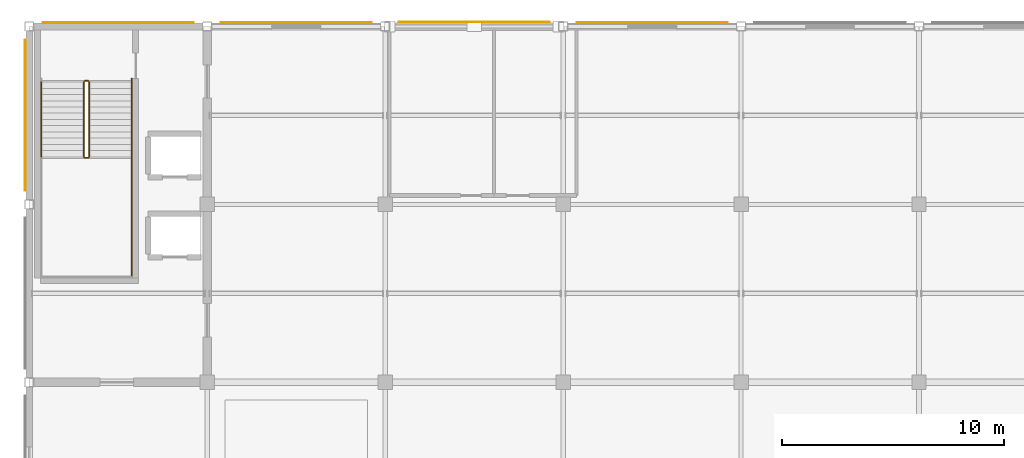
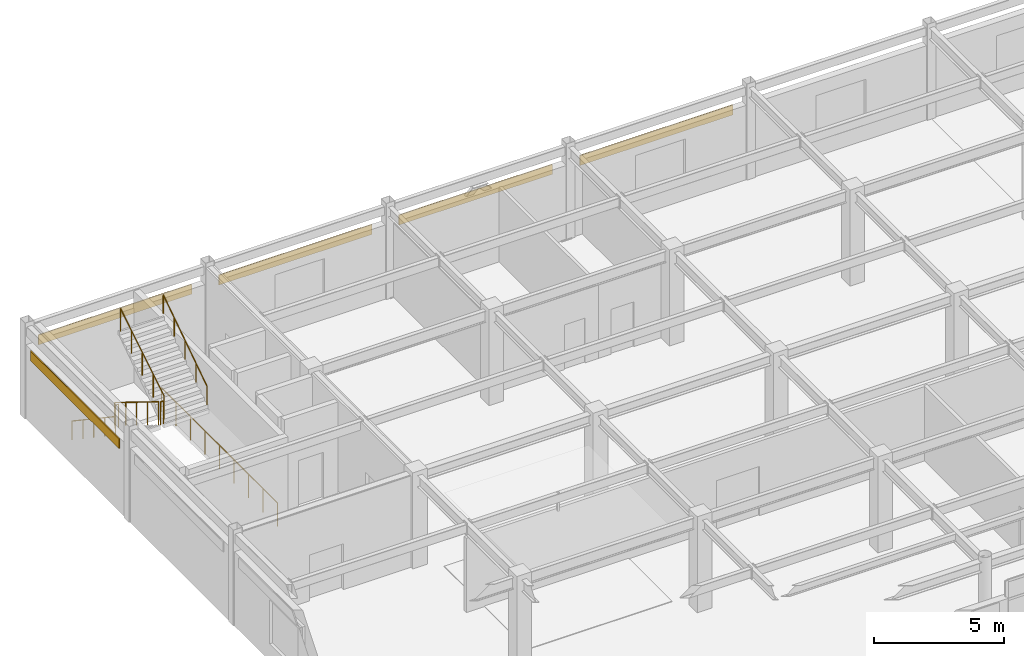
# One storey, part 87 of 93: 7 railings, 5 coverings.
"""IFC4 building model written with IfcOpenShell, lengths in metres."""

import ifcopenshell
import ifcopenshell.guid

model = None  # the IFC model being written
_history = None  # IfcOwnerHistory: only IFC2X3 demands one
_inside = {}  # id of a spatial element -> (the spatial element, [elements in it])
_under = {}  # id of a project, library or spatial element -> (it, [spatial elements below it])
_declared = {}  # id of a project -> (the project, [libraries it declares])
_typed = {}  # id of a type object -> (the type object, [elements of that type])
_made_of = {}  # id of a material, layer set ... -> (it, [elements and type objects made of it])


def new_model(schema):
    """Start an empty IFC model of exactly this schema.

    Asked for "IFC4X3", IfcOpenShell would pick the latest addendum, in which some entities
    have other attributes; the version numbers below select the first issue.
    IFC2X3 requires an IfcOwnerHistory on every rooted entity: one is made here for all.
    """
    global model, _history
    if schema == "IFC4X3":
        model = ifcopenshell.file(schema_version=(4, 3, 0, 0))
    else:
        model = ifcopenshell.file(schema=schema)
    _inside.clear()
    _under.clear()
    _declared.clear()
    _typed.clear()
    _made_of.clear()
    _history = None
    if model.schema == "IFC2X3":
        org = make("IfcOrganization", Name="unknown")
        user = make(
            "IfcPersonAndOrganization",
            ThePerson=make("IfcPerson", FamilyName="unknown"),
            TheOrganization=org,
        )
        app = make(
            "IfcApplication",
            ApplicationDeveloper=org,
            Version="unknown",
            ApplicationFullName="unknown",
            ApplicationIdentifier="unknown",
        )
        _history = make(
            "IfcOwnerHistory",
            OwningUser=user,
            OwningApplication=app,
            ChangeAction="ADDED",
            CreationDate=0,
        )
    return model


def make(cls, **values):
    """One entity of the class cls with the attributes given. An attribute that is None is left unset."""
    return model.create_entity(
        cls, **{name: value for name, value in values.items() if value is not None}
    )


def rooted(cls, **values):
    """An entity with a GlobalId (a new one), such as an element, a storey or a relation."""
    return make(cls, GlobalId=ifcopenshell.guid.new(), OwnerHistory=_history, **values)


def si_unit(unit_type, name, prefix=None):
    """IfcSIUnit, for example si_unit("LENGTHUNIT", "METRE", prefix="MILLI")."""
    return make("IfcSIUnit", UnitType=unit_type, Prefix=prefix, Name=name)


def assignment(units):
    """IfcUnitAssignment: the units of a project."""
    return None if units is None else make("IfcUnitAssignment", Units=units)


def point(xyz):
    """IfcCartesianPoint."""
    return None if xyz is None else make("IfcCartesianPoint", Coordinates=xyz)


def direction(xyz):
    """IfcDirection."""
    return None if xyz is None else make("IfcDirection", DirectionRatios=xyz)


def frame(location, z_axis=None, x_axis=None):
    """IfcAxis2Placement3D, a coordinate frame: its origin and axes. An axis left out is left unset."""
    return make(
        "IfcAxis2Placement3D",
        Location=point(location),
        Axis=direction(z_axis),
        RefDirection=direction(x_axis),
    )


def frame_2d(location, x_axis=None):
    """IfcAxis2Placement2D, a coordinate frame in the plane: its origin and x axis."""
    return make(
        "IfcAxis2Placement2D", Location=point(location), RefDirection=direction(x_axis)
    )


def origin():
    """The frame at (0, 0, 0) with its axes left unset."""
    return frame((0.0, 0.0, 0.0))


def origin_2d():
    """The frame at (0, 0) in the plane with its x axis left unset."""
    return frame_2d((0.0, 0.0))


def place(relative_to, where):
    """IfcLocalPlacement: puts the frame where relative to a parent placement (None: the world)."""
    return make(
        "IfcLocalPlacement", PlacementRelTo=relative_to, RelativePlacement=where
    )


def context(
    kind, dimensions, precision=None, world=None, true_north=None, identifier=None
):
    """IfcGeometricRepresentationContext, for example the 3D "Model" context."""
    return make(
        "IfcGeometricRepresentationContext",
        ContextIdentifier=identifier,
        ContextType=kind,
        CoordinateSpaceDimension=dimensions,
        Precision=precision,
        WorldCoordinateSystem=world,
        TrueNorth=true_north,
    )


def subcontext(parent, identifier, kind, view, scale=None):
    """IfcGeometricRepresentationSubContext, for example "Body" below "Model"."""
    return make(
        "IfcGeometricRepresentationSubContext",
        ContextIdentifier=identifier,
        ContextType=kind,
        ParentContext=parent,
        TargetScale=scale,
        TargetView=view,
    )


def project(units=None, contexts=None):
    """IfcProject with its units and contexts."""
    return rooted(
        "IfcProject",
        Name="project",
        RepresentationContexts=contexts,
        UnitsInContext=assignment(units),
    )


def spatial(cls, under=None, at=None, **own):
    """A site, building, storey or space (cls), placed at a placement, below another one or the project."""
    s = rooted(cls, ObjectPlacement=at, **own)
    if under is not None:
        _under.setdefault(under.id(), (under, []))[1].append(s)
    return s


def profile(cls, at=None, kind="AREA", **sizes):
    """A parametric profile (cls). Its sizes go by their IFC names, for example OverallWidth=200.0."""
    return make(cls, ProfileType=kind, Position=at, **sizes)


def rectangle(**sizes):
    """IfcRectangleProfileDef."""
    return profile("IfcRectangleProfileDef", **sizes)


def circle(**sizes):
    """IfcCircleProfileDef."""
    return profile("IfcCircleProfileDef", **sizes)


def extrude(swept, where, along, depth):
    """IfcExtrudedAreaSolid: the profile swept, set in the frame where, extruded along a direction by depth."""
    return make(
        "IfcExtrudedAreaSolid",
        SweptArea=swept,
        Position=where,
        ExtrudedDirection=direction(along),
        Depth=depth,
    )


def shape(context_of_items, identifier, shape_type, items):
    """IfcShapeRepresentation: the items that make up one representation, for example the "Body"."""
    return make(
        "IfcShapeRepresentation",
        ContextOfItems=context_of_items,
        RepresentationIdentifier=identifier,
        RepresentationType=shape_type,
        Items=items,
    )


def material(Name=None, Category=None):
    """IfcMaterial."""
    return make("IfcMaterial", Name=Name, Category=Category)


def layer(
    of_material, thickness, ventilated=None, Name=None, Category=None, Priority=None
):
    """IfcMaterialLayer: one layer of a wall or slab, of a material (None: an air gap)."""
    return make(
        "IfcMaterialLayer",
        Material=of_material,
        LayerThickness=thickness,
        IsVentilated=ventilated,
        Name=Name,
        Category=Category,
        Priority=Priority,
    )


def layer_set(layers, Name=None):
    """IfcMaterialLayerSet."""
    return make("IfcMaterialLayerSet", MaterialLayers=layers, LayerSetName=Name)


def made_of(thing, what):
    """Note that an element or type object is made of a material, layer set ...; save() writes the relation."""
    if what is not None:
        _made_of.setdefault(what.id(), (what, []))[1].append(thing)
    return thing


def type_object(cls, material=None, **own):
    """A type object (cls), such as IfcWallType, which elements share."""
    return made_of(rooted(cls, **own), material)


def element(
    cls,
    number,
    at=None,
    inside=None,
    cuts=None,
    type_object=None,
    material=None,
    context=None,
    identifier="Body",
    shape_type=None,
    held_by="IfcProductDefinitionShape",
    body=None,
    shapes=None,
    **own,
):
    """One element of the class cls, such as IfcWall. Its Tag is "e" and its number.

    at: its placement. inside: the storey or other place that contains it. cuts: it is an
    opening in that element (IfcRelVoidsElement). A single representation is given by context,
    identifier, shape_type and body (its items); several are given by shapes. held_by: the class
    of the entity that holds the representations. save() writes the other relations.
    """
    e = rooted(cls, Tag="e%d" % number, ObjectPlacement=at, **own)
    if body is not None:
        shapes = [shape(context, identifier, shape_type, body)]
    if shapes is not None:
        e.Representation = make(held_by, Representations=shapes)
    if inside is not None:
        _inside.setdefault(inside.id(), (inside, []))[1].append(e)
    if cuts is not None:
        rooted(
            "IfcRelVoidsElement", RelatingBuildingElement=cuts, RelatedOpeningElement=e
        )
    if type_object is not None:
        _typed.setdefault(type_object.id(), (type_object, []))[1].append(e)
    return made_of(e, material)


def aggregate(whole, parts):
    """IfcRelAggregates: a whole, such as a stair, and the parts it consists of."""
    return rooted("IfcRelAggregates", RelatingObject=whole, RelatedObjects=parts)


def save(model, path):
    """Write the relations noted so far, then the file.

    IfcRelAggregates (storeys below a building ...), IfcRelContainedInSpatialStructure (elements
    in a storey), IfcRelDefinesByType, IfcRelAssociatesMaterial and IfcRelDeclares: one each for
    every whole, place, type object, material and project.
    """
    for whole, parts in _under.values():
        aggregate(whole, parts)
    for where, things in _inside.values():
        rooted(
            "IfcRelContainedInSpatialStructure",
            RelatedElements=things,
            RelatingStructure=where,
        )
    for kind, things in _typed.values():
        rooted("IfcRelDefinesByType", RelatedObjects=things, RelatingType=kind)
    for what, things in _made_of.values():
        rooted("IfcRelAssociatesMaterial", RelatedObjects=things, RelatingMaterial=what)
    for by, libraries in _declared.values():
        rooted("IfcRelDeclares", RelatingContext=by, RelatedDefinitions=libraries)
    model.write(path)


model = new_model("IFC4")

# Units and contexts
model_context = context("Model", 3, precision=1e-05, world=origin(), true_north=direction((0.0, 1.0)))
body_context = subcontext(model_context, "Body", "Model", "MODEL_VIEW")
ifc_project = project(units=[si_unit("LENGTHUNIT", "METRE"), si_unit("AREAUNIT", "SQUARE_METRE"), si_unit("VOLUMEUNIT", "CUBIC_METRE"), si_unit("PLANEANGLEUNIT", "RADIAN"), si_unit("MASSUNIT", "GRAM", prefix="KILO")], contexts=[model_context])

# Site, building, storey
site_placement = place(None, origin())
site = spatial("IfcSite", under=ifc_project, at=site_placement, CompositionType="ELEMENT")
building_placement = place(site_placement, origin())
building = spatial("IfcBuilding", under=site, at=building_placement, Name="Solmirada Galleria", CompositionType="ELEMENT")
storey_placement = place(building_placement, frame((0.0, 0.0, 14.89990234375)))
storey = spatial("IfcBuildingStorey", under=building, at=storey_placement, Name="L03", CompositionType="ELEMENT", Elevation=14.89990234375)

# Coverings
ifc_material_1 = material(Name="Limestone cladding panels", Category="masonry")
ifc_layer_1 = layer(ifc_material_1, 0.044921875)
ifc_layer_set_1 = layer_set([ifc_layer_1], Name="Limestone cladding panels")
covering_type_1 = type_object("IfcCoveringType", Name="COV-CLAD-LIME", PredefinedType="CLADDING", material=ifc_layer_set_1)
for number, where, z_axis, x_axis, name in (
    (1, (39.822509765625, 116.0, 2.990234375), (0.0, 0.0, 1.0), (0.0, 1.0, 0.0), "Postmodern facade cladding L03-188"),
    (2, (52.0, 120.177490234375, 2.990234375), (0.0, 0.0, 1.0), (1.0, 0.0, 0.0), "Postmodern facade cladding L03-190"),
    (3, (68.0, 120.177490234375, 2.990234375), (0.0, 0.0, 1.0), (1.0, 0.0, 0.0), "Postmodern facade cladding L03-192"),
):
    element("IfcCovering", number, at=place(storey_placement, frame(where, z_axis=z_axis, x_axis=x_axis)), inside=storey, type_object=covering_type_1, Name=name, PredefinedType="CLADDING", context=body_context, shape_type="SweptSolid", body=[
        extrude(rectangle(XDim=6.7939453125, YDim=0.044921875, at=origin_2d()), origin(), (0.0, 0.0, 1.0), 0.4599609375),
    ])
ifc_material_2 = material(Name="Glazed terracotta facade panels", Category="masonry")
ifc_layer_2 = layer(ifc_material_2, 0.0400390625)
ifc_layer_set_2 = layer_set([ifc_layer_2], Name="Glazed terracotta facade panels")
covering_type_2 = type_object("IfcCoveringType", Name="COV-CLAD-TERRA", PredefinedType="CLADDING", material=ifc_layer_set_2)
for number, where, z_axis, x_axis, name in (
    (4, (44.0, 120.175048828125, 2.990234375), (0.0, 0.0, 1.0), (1.0, 0.0, 0.0), "Postmodern facade cladding L03-189"),
    (5, (60.0, 120.199951171875, 2.990234375), (0.0, 0.0, 1.0), (1.0, 0.0, 0.0), "Postmodern facade cladding L03-191"),
):
    element("IfcCovering", number, at=place(storey_placement, frame(where, z_axis=z_axis, x_axis=x_axis)), inside=storey, type_object=covering_type_2, Name=name, PredefinedType="CLADDING", context=body_context, shape_type="SweptSolid", body=[
        extrude(rectangle(XDim=6.7939453125, YDim=0.0400390625, at=origin_2d()), origin(), (0.0, 0.0, 1.0), 0.4599609375),
    ])

# Railings
ifc_material_3 = material(Name="Painted steel tubular railing", Category="steel")
railing_type_1 = type_object("IfcRailingType", Name="RAIL-STAIR-GUARD", PredefinedType="GUARDRAIL", material=ifc_material_3)
railing_1_placement = place(storey_placement, frame((42.449951171875, 117.5, 0.173095703125)))
element("IfcRailing", 6, at=railing_1_placement, inside=storey, type_object=railing_type_1, Name="L03 ST1 stair guard 1", PredefinedType="GUARDRAIL", context=body_context, shape_type="SweptSolid", body=[
    extrude(circle(Radius=0.02392578125, at=origin_2d()), frame((0.0, 0.0, 1.076171875), z_axis=(0.0, -0.850623216509, 0.525775754039), x_axis=(1.0, 0.0, 0.0)), (0.0, 0.0, 1.0), 3.9501953125),
    extrude(circle(Radius=0.02099609375, at=origin_2d()), origin(), (0.0, 0.0, 1.0), 1.048095703125),
    extrude(circle(Radius=0.02099609375, at=origin_2d()), frame((0.0, -0.840087890625, 0.519287109375)), (0.0, 0.0, 1.0), 1.048095703125),
    extrude(circle(Radius=0.02099609375, at=origin_2d()), frame((0.0, -1.68017578125, 1.03857421875)), (0.0, 0.0, 1.0), 1.048095703125),
    extrude(circle(Radius=0.02099609375, at=origin_2d()), frame((0.0, -2.52001953125, 1.5576171875)), (0.0, 0.0, 1.0), 1.048095703125),
    extrude(circle(Radius=0.02099609375, at=origin_2d()), frame((0.0, -3.360107421875, 2.076904296875)), (0.0, 0.0, 1.0), 1.048095703125),
])
railing_2_placement = place(storey_placement, frame((42.5, 114.090087890625, 2.25)))
element("IfcRailing", 7, at=railing_2_placement, inside=storey, type_object=railing_type_1, Name="L03 ST1 stair guard 2", PredefinedType="GUARDRAIL", context=body_context, shape_type="SweptSolid", body=[
    extrude(circle(Radius=0.02392578125, at=origin_2d()), frame((0.0, 0.0, 1.076171875), z_axis=(1.0, 0.0, 0.0), x_axis=(0.0, 1.0, 0.0)), (0.0, 0.0, 1.0), 0.14990234375),
    extrude(circle(Radius=0.02099609375, at=origin_2d()), origin(), (0.0, 0.0, 1.0), 1.048095703125),
    extrude(circle(Radius=0.02099609375, at=origin_2d()), frame((0.14990234375, 0.0, 0.0)), (0.0, 0.0, 1.0), 1.048095703125),
])
railing_3_placement = place(storey_placement, frame((42.699951171875, 114.139892578125, 2.423095703125)))
element("IfcRailing", 8, at=railing_3_placement, inside=storey, type_object=railing_type_1, Name="L03 ST1 stair guard 3", PredefinedType="GUARDRAIL", context=body_context, shape_type="SweptSolid", body=[
    extrude(circle(Radius=0.02392578125, at=origin_2d()), frame((0.0, 0.0, 1.076171875), z_axis=(0.0, 0.850623216509, 0.525775754039), x_axis=(-1.0, 0.0, 0.0)), (0.0, 0.0, 1.0), 3.9501953125),
    extrude(circle(Radius=0.02099609375, at=origin_2d()), origin(), (0.0, 0.0, 1.0), 1.048095703125),
    extrude(circle(Radius=0.02099609375, at=origin_2d()), frame((0.0, 0.840087890625, 0.519287109375)), (0.0, 0.0, 1.0), 1.048095703125),
    extrude(circle(Radius=0.02099609375, at=origin_2d()), frame((0.0, 1.68017578125, 1.03857421875)), (0.0, 0.0, 1.0), 1.048095703125),
    extrude(circle(Radius=0.02099609375, at=origin_2d()), frame((0.0, 2.52001953125, 1.5576171875)), (0.0, 0.0, 1.0), 1.048095703125),
    extrude(circle(Radius=0.02099609375, at=origin_2d()), frame((0.0, 3.360107421875, 2.076904296875)), (0.0, 0.0, 1.0), 1.048095703125),
])
railing_4_placement = place(storey_placement, frame((42.5, 117.550048828125, 0.0)))
element("IfcRailing", 9, at=railing_4_placement, inside=storey, type_object=railing_type_1, Name="L03 ST1 stair guard 4", PredefinedType="GUARDRAIL", context=body_context, shape_type="SweptSolid", body=[
    extrude(circle(Radius=0.02392578125, at=origin_2d()), frame((0.0, 0.0, 1.076171875), z_axis=(1.0, 0.0, 0.0), x_axis=(0.0, 1.0, 0.0)), (0.0, 0.0, 1.0), 0.14990234375),
    extrude(circle(Radius=0.02099609375, at=origin_2d()), origin(), (0.0, 0.0, 1.0), 1.048095703125),
    extrude(circle(Radius=0.02099609375, at=origin_2d()), frame((0.14990234375, 0.0, 0.0)), (0.0, 0.0, 1.0), 1.048095703125),
])
railing_5_placement = place(storey_placement, frame((44.610107421875, 117.64990234375, 0.0)))
element("IfcRailing", 10, at=railing_5_placement, inside=storey, type_object=railing_type_1, Name="Stair ST1 well edge guard L03-1", PredefinedType="GUARDRAIL", context=body_context, shape_type="SweptSolid", body=[
    extrude(circle(Radius=0.02392578125, at=origin_2d()), frame((0.0, 0.0, 1.09619140625), z_axis=(0.0, -1.0, 0.0), x_axis=(1.0, 0.0, 0.0)), (0.0, 0.0, 1.0), 8.909912109375),
    extrude(circle(Radius=0.02099609375, at=origin_2d()), origin(), (0.0, 0.0, 1.0), 1.068115234375),
    extrude(circle(Radius=0.02099609375, at=origin_2d()), frame((0.0, -1.11376953125, 0.0)), (0.0, 0.0, 1.0), 1.068115234375),
    extrude(circle(Radius=0.02099609375, at=origin_2d()), frame((0.0, -2.2275390625, 0.0)), (0.0, 0.0, 1.0), 1.068115234375),
    extrude(circle(Radius=0.02099609375, at=origin_2d()), frame((0.0, -3.34130859375, 0.0)), (0.0, 0.0, 1.0), 1.068115234375),
    extrude(circle(Radius=0.02099609375, at=origin_2d()), frame((0.0, -4.455078125, 0.0)), (0.0, 0.0, 1.0), 1.068115234375),
    extrude(circle(Radius=0.02099609375, at=origin_2d()), frame((0.0, -5.568603515625, 0.0)), (0.0, 0.0, 1.0), 1.068115234375),
    extrude(circle(Radius=0.02099609375, at=origin_2d()), frame((0.0, -6.682373046875, 0.0)), (0.0, 0.0, 1.0), 1.068115234375),
    extrude(circle(Radius=0.02099609375, at=origin_2d()), frame((0.0, -7.796142578125, 0.0)), (0.0, 0.0, 1.0), 1.068115234375),
    extrude(circle(Radius=0.02099609375, at=origin_2d()), frame((0.0, -8.909912109375, 0.0)), (0.0, 0.0, 1.0), 1.068115234375),
])
railing_type_2 = type_object("IfcRailingType", Name="RAIL-STAIR-HAND", PredefinedType="HANDRAIL", material=ifc_material_3)
railing_6_placement = place(storey_placement, frame((40.550048828125, 117.5, 0.173095703125)))
element("IfcRailing", 11, at=railing_6_placement, inside=storey, type_object=railing_type_2, Name="L03 ST1 stair handrail 1", PredefinedType="HANDRAIL", context=body_context, shape_type="SweptSolid", body=[
    extrude(circle(Radius=0.02392578125, at=origin_2d()), frame((0.0, 0.0, 0.8759765625), z_axis=(0.0, -0.830915400975, 0.556398774641), x_axis=(1.0, 0.0, 0.0)), (0.0, 0.0, 1.0), 4.0439453125),
    extrude(circle(Radius=0.02099609375, at=origin_2d()), origin(), (0.0, 0.0, 1.0), 0.847900390625),
    extrude(circle(Radius=0.02099609375, at=origin_2d()), frame((0.0, -0.840087890625, 0.5625)), (0.0, 0.0, 1.0), 0.847900390625),
    extrude(circle(Radius=0.02099609375, at=origin_2d()), frame((0.0, -1.68017578125, 1.125)), (0.0, 0.0, 1.0), 0.847900390625),
    extrude(circle(Radius=0.02099609375, at=origin_2d()), frame((0.0, -2.52001953125, 1.6875)), (0.0, 0.0, 1.0), 0.847900390625),
    extrude(circle(Radius=0.02099609375, at=origin_2d()), frame((0.0, -3.360107421875, 2.25)), (0.0, 0.0, 1.0), 0.847900390625),
])
railing_7_placement = place(storey_placement, frame((44.60009765625, 114.139892578125, 2.423095703125)))
element("IfcRailing", 12, at=railing_7_placement, inside=storey, type_object=railing_type_2, Name="L03 ST1 stair handrail 2", PredefinedType="HANDRAIL", context=body_context, shape_type="SweptSolid", body=[
    extrude(circle(Radius=0.02392578125, at=origin_2d()), frame((0.0, 0.0, 0.8759765625), z_axis=(0.0, 0.830915400975, 0.556398774641), x_axis=(-1.0, 0.0, 0.0)), (0.0, 0.0, 1.0), 4.0439453125),
    extrude(circle(Radius=0.02099609375, at=origin_2d()), origin(), (0.0, 0.0, 1.0), 0.847900390625),
    extrude(circle(Radius=0.02099609375, at=origin_2d()), frame((0.0, 0.840087890625, 0.5625)), (0.0, 0.0, 1.0), 0.847900390625),
    extrude(circle(Radius=0.02099609375, at=origin_2d()), frame((0.0, 1.68017578125, 1.125)), (0.0, 0.0, 1.0), 0.847900390625),
    extrude(circle(Radius=0.02099609375, at=origin_2d()), frame((0.0, 2.52001953125, 1.6875)), (0.0, 0.0, 1.0), 0.847900390625),
    extrude(circle(Radius=0.02099609375, at=origin_2d()), frame((0.0, 3.360107421875, 2.25)), (0.0, 0.0, 1.0), 0.847900390625),
])

save(model, "model.ifc")
